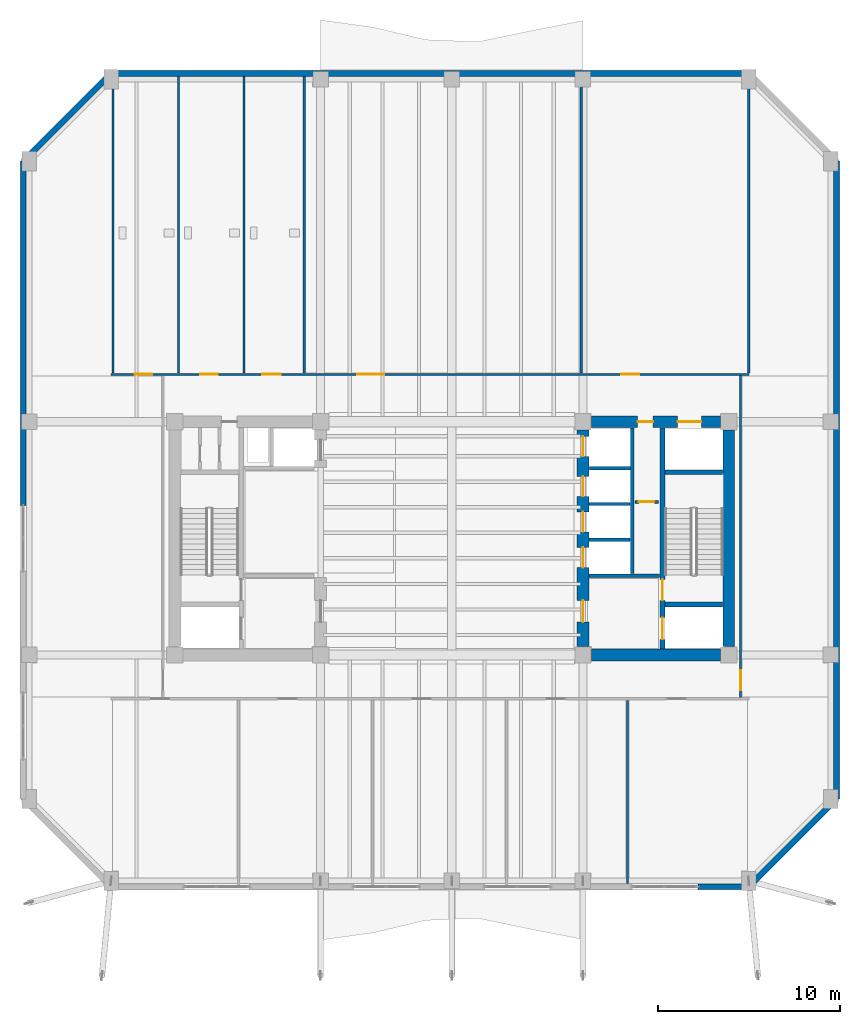
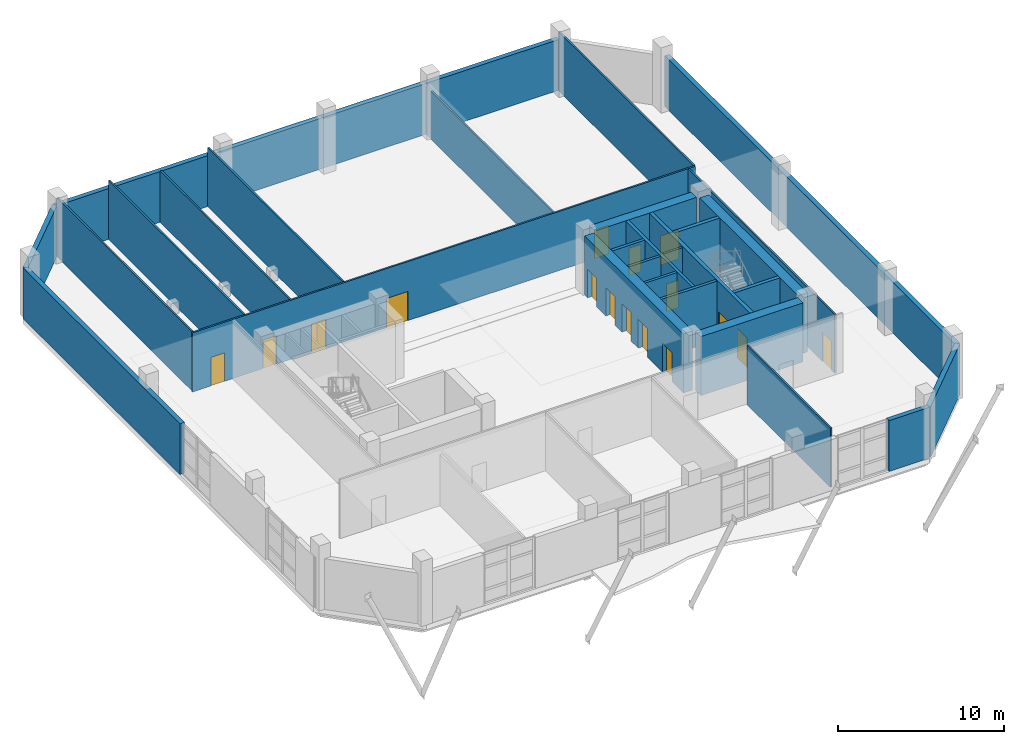
# One storey, part 9 of 15: 28 walls, 16 doors, 16 openings.
"""IFC4 building model written with IfcOpenShell, lengths in metres."""

from ifc_helpers import new_model, si_unit, direction, frame, frame_2d, origin, place, context, subcontext, project, spatial, rectangle, extrude, material, layer, layer_set, type_object, element, fill, save


model = new_model("IFC4")

# Units and contexts
model_context = context("Model", 3, precision=1e-05, world=origin(), true_north=direction((0.0, 1.0)))
body_context = subcontext(model_context, "Body", "Model", "MODEL_VIEW")
ifc_project = project(units=[si_unit("LENGTHUNIT", "METRE"), si_unit("AREAUNIT", "SQUARE_METRE"), si_unit("VOLUMEUNIT", "CUBIC_METRE"), si_unit("PLANEANGLEUNIT", "RADIAN"), si_unit("MASSUNIT", "GRAM", prefix="KILO")], contexts=[model_context])

# Site, building, storey
site_placement = place(None, origin())
site = spatial("IfcSite", under=ifc_project, at=site_placement, CompositionType="ELEMENT")
building_placement = place(site_placement, origin())
building = spatial("IfcBuilding", under=site, at=building_placement, Name="Kranthara Brick Stack", CompositionType="ELEMENT")
storey_placement = place(building_placement, frame((0.0, 0.0, 202.699951171875)))
storey = spatial("IfcBuildingStorey", under=building, at=storey_placement, Name="L52", CompositionType="ELEMENT", Elevation=202.699951171875)

# Walls
ifc_material_1 = material(Name="Warm buff clay brick masonry M15", Category="masonry")
ifc_layer_1 = layer(ifc_material_1, 0.320068359375)
ifc_layer_set_1 = layer_set([ifc_layer_1], Name="Warm buff clay brick masonry M15")
wall_type_1 = type_object("IfcWallType", Name="WL-BRK-UPPR-320", PredefinedType="STANDARD", material=ifc_layer_set_1)
wall_1_placement = place(storey_placement, frame((44.300048828125, 8.080078125, 0.0), z_axis=(0.0, 0.0, 1.0), x_axis=(-1.0, 0.0, 0.0)))
element("IfcWall", 1, at=wall_1_placement, inside=storey, type_object=wall_type_1, Name="L52 Exterior Brick Facade Wall SOUTH 1", PredefinedType="STANDARD", context=body_context, shape_type="SweptSolid", body=[
    extrude(rectangle(XDim=2.800048828125, YDim=0.320068359375, at=frame_2d((1.39990234375, 0.0))), origin(), (0.0, 0.0, 1.0), 3.735107421875),
])
wall_2_placement = place(storey_placement, frame((4.47998046875, 29.0, 0.0), z_axis=(0.0, 0.0, 1.0), x_axis=(0.0, 1.0, 0.0)))
element("IfcWall", 2, at=wall_2_placement, inside=storey, type_object=wall_type_1, Name="L52 Exterior Brick Facade Wall WEST 3", PredefinedType="STANDARD", context=body_context, shape_type="SweptSolid", body=[
    extrude(rectangle(XDim=18.89990234375, YDim=0.320068359375, at=frame_2d((9.449951171875, 0.0))), origin(), (0.0, 0.0, 1.0), 3.735107421875),
])
wall_3_placement = place(storey_placement, frame((4.47998046875, 47.89990234375, 0.0), z_axis=(0.0, 0.0, 1.0), x_axis=(0.707106781187, 0.707106781187, 0.0)))
element("IfcWall", 3, at=wall_3_placement, inside=storey, type_object=wall_type_1, Name="L52 Exterior Brick Facade Wall NW 1", PredefinedType="STANDARD", context=body_context, shape_type="SweptSolid", body=[
    extrude(rectangle(XDim=6.816650390625, YDim=0.320068359375, at=frame_2d((3.408203125, 0.0))), origin(), (0.0, 0.0, 1.0), 3.735107421875),
])
for number, where, z_axis, x_axis, name in (
    (4, (9.300048828125, 52.719970703125, 0.0), (0.0, 0.0, 1.0), (1.0, 0.0, 0.0), "L52 Exterior Brick Facade Wall NORTH 1"),
    (5, (49.1201171875, 47.89990234375, 0.0), (0.0, 0.0, 1.0), (0.0, -1.0, 0.0), "L52 Exterior Brick Facade Wall EAST 1"),
):
    element("IfcWall", number, at=place(storey_placement, frame(where, z_axis=z_axis, x_axis=x_axis)), inside=storey, type_object=wall_type_1, Name=name, PredefinedType="STANDARD", context=body_context, shape_type="SweptSolid", body=[
        extrude(rectangle(XDim=35.0, YDim=0.320068359375, at=frame_2d((17.5, 0.0))), origin(), (0.0, 0.0, 1.0), 3.735107421875),
    ])
wall_4_placement = place(storey_placement, frame((49.1201171875, 12.89990234375, 0.0), z_axis=(0.0, 0.0, 1.0), x_axis=(-0.707124689198, -0.707088872722, 0.0)))
element("IfcWall", 6, at=wall_4_placement, inside=storey, type_object=wall_type_1, Name="L52 Exterior Brick Facade Wall SE 1", PredefinedType="STANDARD", context=body_context, shape_type="SweptSolid", body=[
    extrude(rectangle(XDim=6.81640625, YDim=0.320068359375, at=frame_2d((3.408203125, 0.0))), origin(), (0.0, 0.0, 1.0), 3.735107421875),
])

# Wall, openings, doors
ifc_material_2 = material(Name="Concrete C50/60", Category="concrete")
ifc_layer_2 = layer(ifc_material_2, 0.25)
ifc_layer_set_2 = layer_set([ifc_layer_2], Name="Concrete C50/60")
wall_type_2 = type_object("IfcWallType", Name="WL-CORE-250", PredefinedType="SHEAR", material=ifc_layer_set_2)
wall_5_placement = place(storey_placement, frame((39.56494140625, 21.135009765625, 0.0), z_axis=(0.0, 0.0, 1.0), x_axis=(0.0, 1.0, 0.0)))
wall_5 = element("IfcWall", 7, at=wall_5_placement, inside=storey, type_object=wall_type_2, Name="L52 East Core Stair Bearing Spine Wall", PredefinedType="SHEAR", context=body_context, shape_type="SweptSolid", body=[
    extrude(rectangle(XDim=12.1298828125, YDim=0.25, at=frame_2d((6.06494140625, 0.0))), origin(), (0.0, 0.0, 1.0), 4.35009765625),
])
opening_1_placement = place(wall_5_placement, frame((0.514892578125, 0.0, 0.0)))
opening_1 = element("IfcOpeningElement", 8, at=opening_1_placement, cuts=wall_5, Name="Opening LD01", PredefinedType="OPENING", context=body_context, shape_type="SweptSolid", body=[
    extrude(rectangle(XDim=1.199951171875, YDim=2.14990234375, at=frame_2d((0.60009765625, 1.074951171875))), frame((0.0, 0.135009765625, 0.0), z_axis=(0.0, -1.0, 0.0), x_axis=(1.0, 0.0, 0.0)), (0.0, 0.0, 1.0), 0.27001953125),
])
opening_2_placement = place(wall_5_placement, frame((2.6650390625, 0.0, 0.0)))
opening_2 = element("IfcOpeningElement", 9, at=opening_2_placement, cuts=wall_5, Name="Opening D05", PredefinedType="OPENING", context=body_context, shape_type="SweptSolid", body=[
    extrude(rectangle(XDim=1.14990234375, YDim=2.14990234375, at=frame_2d((0.574951171875, 1.074951171875))), frame((0.0, 0.135009765625, 0.0), z_axis=(0.0, -1.0, 0.0), x_axis=(1.0, 0.0, 0.0)), (0.0, 0.0, 1.0), 0.27001953125),
])
ifc_material_3 = material(Name="Stainless steel sliding landing door", Category="steel")
door_type_1 = type_object("IfcDoorType", Name="DR-LD-FF1200", OperationType="DOUBLE_DOOR_SLIDING", PredefinedType="DOOR", material=ifc_material_3)
door_1_placement = place(opening_1_placement, origin())
door_1 = element("IfcDoor", 10, at=door_1_placement, inside=storey, type_object=door_type_1, Name="L52 Firefighting Lift FF-02 Landing Door", OperationType="DOUBLE_DOOR_SLIDING", OverallHeight=2.14990234375, OverallWidth=1.199951171875, PredefinedType="DOOR", context=body_context, shape_type="SweptSolid", body=[
    extrude(rectangle(XDim=1.199951171875, YDim=2.14990234375, at=frame_2d((0.60009765625, 1.074951171875))), frame((0.0, 0.02490234375, 0.0), z_axis=(0.0, -1.0, 0.0), x_axis=(1.0, 0.0, 0.0)), (0.0, 0.0, 1.0), 0.050048828125),
])
fill(opening_1, door_1)
ifc_material_4 = material(Name="Solid-core hardwood timber leaf in steel frame", Category="steel")
door_type_2 = type_object("IfcDoorType", Name="DR-ST-1150", OperationType="NOTDEFINED", PredefinedType="DOOR", material=ifc_material_4)
door_2_placement = place(opening_2_placement, origin())
door_2 = element("IfcDoor", 11, at=door_2_placement, inside=storey, type_object=door_type_2, Name="L52 Exit Stair ST02 Door", OperationType="SINGLE_SWING_LEFT", OverallHeight=2.14990234375, OverallWidth=1.14990234375, PredefinedType="DOOR", context=body_context, shape_type="SweptSolid", body=[
    extrude(rectangle(XDim=1.14990234375, YDim=2.14990234375, at=frame_2d((0.574951171875, 1.074951171875))), frame((0.0, 0.02490234375, 0.0), z_axis=(0.0, -1.0, 0.0), x_axis=(1.0, 0.0, 0.0)), (0.0, 0.0, 1.0), 0.050048828125),
])
fill(opening_2, door_2)

# Walls
for number, where, z_axis, x_axis, name in (
    (12, (39.68994140625, 23.570068359375, 0.0), (0.0, 0.0, 1.0), (1.0, 0.0, 0.0), "L52 East Stairwell Bearing Wall EFF"),
    (13, (39.68994140625, 30.830078125, 0.0), (0.0, 0.0, 1.0), (1.0, 0.0, 0.0), "L52 East Stairwell Bearing Wall EST"),
):
    element("IfcWall", number, at=place(storey_placement, frame(where, z_axis=z_axis, x_axis=x_axis)), inside=storey, type_object=wall_type_2, Name=name, PredefinedType="SHEAR", context=body_context, shape_type="SweptSolid", body=[
        extrude(rectangle(XDim=3.175048828125, YDim=0.25, at=frame_2d((1.58740234375, 0.0))), origin(), (0.0, 0.0, 1.0), 4.35009765625),
    ])
ifc_material_5 = material(Name="Concrete C60/75", Category="concrete")
ifc_layer_3 = layer(ifc_material_5, 0.64990234375)
ifc_layer_set_3 = layer_set([ifc_layer_3], Name="Concrete C60/75")
wall_type_3 = type_object("IfcWallType", Name="WL-CORE-650", PredefinedType="SHEAR", material=ifc_layer_set_3)
wall_6_placement = place(storey_placement, frame((43.199951171875, 21.2548828125, 0.0), z_axis=(0.0, 0.0, 1.0), x_axis=(0.0, 1.0, 0.0)))
element("IfcWall", 14, at=wall_6_placement, inside=storey, type_object=wall_type_3, Name="L52 East Core Shear Wall East", PredefinedType="SHEAR", context=body_context, shape_type="SweptSolid", body=[
    extrude(rectangle(XDim=11.89013671875, YDim=0.64990234375, at=frame_2d((5.945068359375, 0.0))), origin(), (0.0, 0.0, 1.0), 4.35009765625),
])
wall_7_placement = place(storey_placement, frame((35.655029296875, 20.800048828125, 0.0), z_axis=(0.0, 0.0, 1.0), x_axis=(1.0, 0.0, 0.0)))
element("IfcWall", 15, at=wall_7_placement, inside=storey, type_object=wall_type_3, Name="L52 East Core Shear Wall South", PredefinedType="SHEAR", context=body_context, shape_type="SweptSolid", body=[
    extrude(rectangle(XDim=7.090087890625, YDim=0.64990234375, at=frame_2d((3.544921875, 0.0))), origin(), (0.0, 0.0, 1.0), 4.35009765625),
])

# Wall, openings, doors
wall_8_placement = place(storey_placement, frame((35.655029296875, 33.60009765625, 0.0), z_axis=(0.0, 0.0, 1.0), x_axis=(1.0, 0.0, 0.0)))
wall_8 = element("IfcWall", 16, at=wall_8_placement, inside=storey, type_object=wall_type_3, Name="L52 East Core Shear Wall North", PredefinedType="SHEAR", context=body_context, shape_type="SweptSolid", body=[
    extrude(rectangle(XDim=7.090087890625, YDim=0.64990234375, at=frame_2d((3.544921875, 0.0))), origin(), (0.0, 0.0, 1.0), 4.35009765625),
])
opening_3_placement = place(wall_8_placement, frame((4.7451171875, 0.0, 0.0)))
opening_3 = element("IfcOpeningElement", 17, at=opening_3_placement, cuts=wall_8, Name="Opening LD03", PredefinedType="OPENING", context=body_context, shape_type="SweptSolid", body=[
    extrude(rectangle(XDim=1.300048828125, YDim=2.14990234375, at=frame_2d((0.64990234375, 1.074951171875))), frame((0.0, 0.3349609375, 0.0), z_axis=(0.0, -1.0, 0.0), x_axis=(1.0, 0.0, 0.0)), (0.0, 0.0, 1.0), 0.669921875),
])
opening_4_placement = place(wall_8_placement, frame((2.544921875, 0.0, 0.0)))
opening_4 = element("IfcOpeningElement", 18, at=opening_4_placement, cuts=wall_8, Name="Opening D10", PredefinedType="OPENING", context=body_context, shape_type="SweptSolid", body=[
    extrude(rectangle(XDim=0.85009765625, YDim=2.02001953125, at=frame_2d((0.425048828125, 1.010009765625))), frame((0.0, 0.3349609375, 0.0), z_axis=(0.0, -1.0, 0.0), x_axis=(1.0, 0.0, 0.0)), (0.0, 0.0, 1.0), 0.669921875),
])
ifc_material_6 = material(Name="Stainless steel sliding landing door", Category="steel")
door_type_3 = type_object("IfcDoorType", Name="DR-LD-SV1300", OperationType="DOUBLE_DOOR_SLIDING", PredefinedType="DOOR", material=ifc_material_6)
door_3_placement = place(opening_3_placement, origin())
door_3 = element("IfcDoor", 19, at=door_3_placement, inside=storey, type_object=door_type_3, Name="L52 Stretcher Service Lift SV-01 Landing Door", OperationType="DOUBLE_DOOR_SLIDING", OverallHeight=2.14990234375, OverallWidth=1.300048828125, PredefinedType="DOOR", context=body_context, shape_type="SweptSolid", body=[
    extrude(rectangle(XDim=1.300048828125, YDim=2.14990234375, at=frame_2d((0.64990234375, 1.074951171875))), frame((0.0, 0.02490234375, 0.0), z_axis=(0.0, -1.0, 0.0), x_axis=(1.0, 0.0, 0.0)), (0.0, 0.0, 1.0), 0.050048828125),
])
fill(opening_3, door_3)
ifc_material_7 = material(Name="Solid-core hardwood timber leaf in steel frame", Category="steel")
door_type_4 = type_object("IfcDoorType", Name="DR-RSR-850", OperationType="NOTDEFINED", PredefinedType="DOOR", material=ifc_material_7)
door_4_placement = place(opening_4_placement, origin())
door_4 = element("IfcDoor", 20, at=door_4_placement, inside=storey, type_object=door_type_4, Name="L52 East Core Service Room Door", OperationType="SINGLE_SWING_LEFT", OverallHeight=2.02001953125, OverallWidth=0.85009765625, PredefinedType="DOOR", context=body_context, shape_type="SweptSolid", body=[
    extrude(rectangle(XDim=0.85009765625, YDim=2.02001953125, at=frame_2d((0.425048828125, 1.010009765625))), frame((0.0, 0.02490234375, 0.0), z_axis=(0.0, -1.0, 0.0), x_axis=(1.0, 0.0, 0.0)), (0.0, 0.0, 1.0), 0.050048828125),
])
fill(opening_4, door_4)

wall_9_placement = place(storey_placement, frame((35.199951171875, 21.2548828125, 0.0), z_axis=(0.0, 0.0, 1.0), x_axis=(0.0, 1.0, 0.0)))
wall_9 = element("IfcWall", 21, at=wall_9_placement, inside=storey, type_object=wall_type_3, Name="L52 East Core Shear Wall West", PredefinedType="SHEAR", context=body_context, shape_type="SweptSolid", body=[
    extrude(rectangle(XDim=11.89013671875, YDim=0.64990234375, at=frame_2d((5.945068359375, 0.0))), origin(), (0.0, 0.0, 1.0), 4.35009765625),
])
opening_5_placement = place(wall_9_placement, frame((1.344970703125, 0.0, 0.0)))
opening_5 = element("IfcOpeningElement", 22, at=opening_5_placement, cuts=wall_9, Name="Opening D06", PredefinedType="OPENING", context=body_context, shape_type="SweptSolid", body=[
    extrude(rectangle(XDim=1.199951171875, YDim=2.14990234375, at=frame_2d((0.60009765625, 1.074951171875))), frame((0.0, 0.3349609375, 0.0), z_axis=(0.0, -1.0, 0.0), x_axis=(1.0, 0.0, 0.0)), (0.0, 0.0, 1.0), 0.669921875),
])
opening_6_placement = place(wall_9_placement, frame((4.344970703125, 0.0, 0.0)))
opening_6 = element("IfcOpeningElement", 23, at=opening_6_placement, cuts=wall_9, Name="Opening LD02", PredefinedType="OPENING", context=body_context, shape_type="SweptSolid", body=[
    extrude(rectangle(XDim=1.10009765625, YDim=2.10009765625, at=frame_2d((0.550048828125, 1.050048828125))), frame((0.0, 0.3349609375, 0.0), z_axis=(0.0, -1.0, 0.0), x_axis=(1.0, 0.0, 0.0)), (0.0, 0.0, 1.0), 0.669921875),
])
opening_7_placement = place(wall_9_placement, frame((6.294921875, 0.0, 0.0)))
opening_7 = element("IfcOpeningElement", 24, at=opening_7_placement, cuts=wall_9, Name="Opening LD02", PredefinedType="OPENING", context=body_context, shape_type="SweptSolid", body=[
    extrude(rectangle(XDim=1.10009765625, YDim=2.10009765625, at=frame_2d((0.550048828125, 1.050048828125))), frame((0.0, 0.3349609375, 0.0), z_axis=(0.0, -1.0, 0.0), x_axis=(1.0, 0.0, 0.0)), (0.0, 0.0, 1.0), 0.669921875),
])
opening_8_placement = place(wall_9_placement, frame((8.2451171875, 0.0, 0.0)))
opening_8 = element("IfcOpeningElement", 25, at=opening_8_placement, cuts=wall_9, Name="Opening LD02", PredefinedType="OPENING", context=body_context, shape_type="SweptSolid", body=[
    extrude(rectangle(XDim=1.10009765625, YDim=2.10009765625, at=frame_2d((0.550048828125, 1.050048828125))), frame((0.0, 0.3349609375, 0.0), z_axis=(0.0, -1.0, 0.0), x_axis=(1.0, 0.0, 0.0)), (0.0, 0.0, 1.0), 0.669921875),
])
opening_9_placement = place(wall_9_placement, frame((10.445068359375, 0.0, 0.0)))
opening_9 = element("IfcOpeningElement", 26, at=opening_9_placement, cuts=wall_9, Name="Opening LD02", PredefinedType="OPENING", context=body_context, shape_type="SweptSolid", body=[
    extrude(rectangle(XDim=1.10009765625, YDim=2.10009765625, at=frame_2d((0.550048828125, 1.050048828125))), frame((0.0, 0.3349609375, 0.0), z_axis=(0.0, -1.0, 0.0), x_axis=(1.0, 0.0, 0.0)), (0.0, 0.0, 1.0), 0.669921875),
])
ifc_material_8 = material(Name="Solid-core hardwood timber leaf in steel frame", Category="steel")
door_type_5 = type_object("IfcDoorType", Name="DR-FFL-1200", OperationType="NOTDEFINED", PredefinedType="DOOR", material=ifc_material_8)
door_5_placement = place(opening_5_placement, origin())
door_5 = element("IfcDoor", 27, at=door_5_placement, inside=storey, type_object=door_type_5, Name="L52 East Firefighting Lobby Door", OperationType="SINGLE_SWING_RIGHT", OverallHeight=2.14990234375, OverallWidth=1.199951171875, PredefinedType="DOOR", context=body_context, shape_type="SweptSolid", body=[
    extrude(rectangle(XDim=1.199951171875, YDim=2.14990234375, at=frame_2d((0.60009765625, 1.074951171875))), frame((0.0, 0.02490234375, 0.0), z_axis=(0.0, -1.0, 0.0), x_axis=(1.0, 0.0, 0.0)), (0.0, 0.0, 1.0), 0.050048828125),
])
fill(opening_5, door_5)
ifc_material_9 = material(Name="Stainless steel sliding landing door", Category="steel")
door_type_6 = type_object("IfcDoorType", Name="DR-LD-PL1100", OperationType="DOUBLE_DOOR_SLIDING", PredefinedType="DOOR", material=ifc_material_9)
door_6_placement = place(opening_6_placement, origin())
door_6 = element("IfcDoor", 28, at=door_6_placement, inside=storey, type_object=door_type_6, Name="L52 PL-04 Lift Landing Door", OperationType="DOUBLE_DOOR_SLIDING", OverallHeight=2.10009765625, OverallWidth=1.10009765625, PredefinedType="DOOR", context=body_context, shape_type="SweptSolid", body=[
    extrude(rectangle(XDim=1.10009765625, YDim=2.10009765625, at=frame_2d((0.550048828125, 1.050048828125))), frame((0.0, 0.02490234375, 0.0), z_axis=(0.0, -1.0, 0.0), x_axis=(1.0, 0.0, 0.0)), (0.0, 0.0, 1.0), 0.050048828125),
])
fill(opening_6, door_6)
door_7_placement = place(opening_7_placement, origin())
door_7 = element("IfcDoor", 29, at=door_7_placement, inside=storey, type_object=door_type_6, Name="L52 PL-05 Lift Landing Door", OperationType="DOUBLE_DOOR_SLIDING", OverallHeight=2.10009765625, OverallWidth=1.10009765625, PredefinedType="DOOR", context=body_context, shape_type="SweptSolid", body=[
    extrude(rectangle(XDim=1.10009765625, YDim=2.10009765625, at=frame_2d((0.550048828125, 1.050048828125))), frame((0.0, 0.02490234375, 0.0), z_axis=(0.0, -1.0, 0.0), x_axis=(1.0, 0.0, 0.0)), (0.0, 0.0, 1.0), 0.050048828125),
])
fill(opening_7, door_7)
door_8_placement = place(opening_8_placement, origin())
door_8 = element("IfcDoor", 30, at=door_8_placement, inside=storey, type_object=door_type_6, Name="L52 PL-06 Lift Landing Door", OperationType="DOUBLE_DOOR_SLIDING", OverallHeight=2.10009765625, OverallWidth=1.10009765625, PredefinedType="DOOR", context=body_context, shape_type="SweptSolid", body=[
    extrude(rectangle(XDim=1.10009765625, YDim=2.10009765625, at=frame_2d((0.550048828125, 1.050048828125))), frame((0.0, 0.02490234375, 0.0), z_axis=(0.0, -1.0, 0.0), x_axis=(1.0, 0.0, 0.0)), (0.0, 0.0, 1.0), 0.050048828125),
])
fill(opening_8, door_8)
door_9_placement = place(opening_9_placement, origin())
door_9 = element("IfcDoor", 31, at=door_9_placement, inside=storey, type_object=door_type_6, Name="L52 PL-08 Lift Landing Door", OperationType="DOUBLE_DOOR_SLIDING", OverallHeight=2.10009765625, OverallWidth=1.10009765625, PredefinedType="DOOR", context=body_context, shape_type="SweptSolid", body=[
    extrude(rectangle(XDim=1.10009765625, YDim=2.10009765625, at=frame_2d((0.550048828125, 1.050048828125))), frame((0.0, 0.02490234375, 0.0), z_axis=(0.0, -1.0, 0.0), x_axis=(1.0, 0.0, 0.0)), (0.0, 0.0, 1.0), 0.050048828125),
])
fill(opening_9, door_9)

ifc_material_10 = material(Name="Acoustic gypsum plasterboard partition", Category="other")
ifc_layer_4 = layer(ifc_material_10, 0.1201171875)
ifc_layer_set_4 = layer_set([ifc_layer_4], Name="Acoustic gypsum plasterboard partition")
wall_type_4 = type_object("IfcWallType", Name="WL-PART-120", PredefinedType="PARTITIONING", material=ifc_layer_set_4)
wall_10_placement = place(storey_placement, frame((9.300048828125, 36.199951171875, 0.0), z_axis=(0.0, 0.0, 1.0), x_axis=(1.0, 0.0, 0.0)))
wall_10 = element("IfcWall", 32, at=wall_10_placement, inside=storey, type_object=wall_type_4, Name="L52 Interior Partition 005", PredefinedType="PARTITIONING", context=body_context, shape_type="SweptSolid", body=[
    extrude(rectangle(XDim=35.0, YDim=0.1201171875, at=frame_2d((17.5, 0.0))), origin(), (0.0, 0.0, 1.0), 4.35009765625),
])
opening_10_placement = place(wall_10_placement, frame((1.300048828125, 0.0, 0.0)))
opening_10 = element("IfcOpeningElement", 33, at=opening_10_placement, cuts=wall_10, Name="Opening D14", PredefinedType="OPENING", context=body_context, shape_type="SweptSolid", body=[
    extrude(rectangle(XDim=0.949951171875, YDim=2.10009765625, at=frame_2d((0.47509765625, 1.050048828125))), frame((0.0, 0.070068359375, 0.0), z_axis=(0.0, -1.0, 0.0), x_axis=(1.0, 0.0, 0.0)), (0.0, 0.0, 1.0), 0.14013671875),
])
opening_11_placement = place(wall_10_placement, frame((4.89990234375, 0.0, 0.0)))
opening_11 = element("IfcOpeningElement", 34, at=opening_11_placement, cuts=wall_10, Name="Opening D14", PredefinedType="OPENING", context=body_context, shape_type="SweptSolid", body=[
    extrude(rectangle(XDim=0.949951171875, YDim=2.10009765625, at=frame_2d((0.47509765625, 1.050048828125))), frame((0.0, 0.070068359375, 0.0), z_axis=(0.0, -1.0, 0.0), x_axis=(1.0, 0.0, 0.0)), (0.0, 0.0, 1.0), 0.14013671875),
])
opening_12_placement = place(wall_10_placement, frame((8.300048828125, 0.0, 0.0)))
opening_12 = element("IfcOpeningElement", 35, at=opening_12_placement, cuts=wall_10, Name="Opening D18", PredefinedType="OPENING", context=body_context, shape_type="SweptSolid", body=[
    extrude(rectangle(XDim=1.0, YDim=2.10009765625, at=frame_2d((0.5, 1.050048828125))), frame((0.0, 0.070068359375, 0.0), z_axis=(0.0, -1.0, 0.0), x_axis=(1.0, 0.0, 0.0)), (0.0, 0.0, 1.0), 0.14013671875),
])
opening_13_placement = place(wall_10_placement, frame((13.5, 0.0, 0.0)))
opening_13 = element("IfcOpeningElement", 36, at=opening_13_placement, cuts=wall_10, Name="Opening D20", PredefinedType="OPENING", context=body_context, shape_type="SweptSolid", body=[
    extrude(rectangle(XDim=1.5, YDim=2.14990234375, at=frame_2d((0.75, 1.074951171875))), frame((0.0, 0.070068359375, 0.0), z_axis=(0.0, -1.0, 0.0), x_axis=(1.0, 0.0, 0.0)), (0.0, 0.0, 1.0), 0.14013671875),
])
opening_14_placement = place(wall_10_placement, frame((28.0, 0.0, 0.0)))
opening_14 = element("IfcOpeningElement", 37, at=opening_14_placement, cuts=wall_10, Name="Opening D13", PredefinedType="OPENING", context=body_context, shape_type="SweptSolid", body=[
    extrude(rectangle(XDim=1.0, YDim=2.10009765625, at=frame_2d((0.5, 1.050048828125))), frame((0.0, 0.070068359375, 0.0), z_axis=(0.0, -1.0, 0.0), x_axis=(1.0, 0.0, 0.0)), (0.0, 0.0, 1.0), 0.14013671875),
])
ifc_material_11 = material(Name="Solid-core hardwood timber leaf in steel frame", Category="steel")
door_type_7 = type_object("IfcDoorType", Name="DR-ACC-1000", OperationType="NOTDEFINED", PredefinedType="DOOR", material=ifc_material_11)
door_10_placement = place(opening_12_placement, origin())
door_10 = element("IfcDoor", 38, at=door_10_placement, inside=storey, type_object=door_type_7, Name="L52 Accessible WC 11", OperationType="SINGLE_SWING_LEFT", OverallHeight=2.10009765625, OverallWidth=1.0, PredefinedType="DOOR", context=body_context, shape_type="SweptSolid", body=[
    extrude(rectangle(XDim=1.0, YDim=2.10009765625, at=frame_2d((0.5, 1.050048828125))), frame((0.0, 0.02490234375, 0.0), z_axis=(0.0, -1.0, 0.0), x_axis=(1.0, 0.0, 0.0)), (0.0, 0.0, 1.0), 0.050048828125),
])
fill(opening_12, door_10)
ifc_material_12 = material(Name="Solid-core hardwood timber leaf in steel frame", Category="steel")
door_type_8 = type_object("IfcDoorType", Name="DR-DBL-1500", OperationType="DOUBLE_DOOR_SINGLE_SWING", PredefinedType="DOOR", material=ifc_material_12)
door_11_placement = place(opening_13_placement, origin())
door_11 = element("IfcDoor", 39, at=door_11_placement, inside=storey, type_object=door_type_8, Name="L52 Fitness Club Door 12", OperationType="DOUBLE_DOOR_SINGLE_SWING", OverallHeight=2.14990234375, OverallWidth=1.5, PredefinedType="DOOR", context=body_context, shape_type="SweptSolid", body=[
    extrude(rectangle(XDim=1.5, YDim=2.14990234375, at=frame_2d((0.75, 1.074951171875))), frame((0.0, 0.02490234375, 0.0), z_axis=(0.0, -1.0, 0.0), x_axis=(1.0, 0.0, 0.0)), (0.0, 0.0, 1.0), 0.050048828125),
])
fill(opening_13, door_11)
ifc_material_13 = material(Name="Solid-core hardwood timber leaf in steel frame", Category="steel")
door_type_9 = type_object("IfcDoorType", Name="DR-INT-1000", OperationType="NOTDEFINED", PredefinedType="DOOR", material=ifc_material_13)
door_12_placement = place(opening_14_placement, origin())
door_12 = element("IfcDoor", 40, at=door_12_placement, inside=storey, type_object=door_type_9, Name="L52 Equipment Store Door 13", OperationType="SINGLE_SWING_LEFT", OverallHeight=2.10009765625, OverallWidth=1.0, PredefinedType="DOOR", context=body_context, shape_type="SweptSolid", body=[
    extrude(rectangle(XDim=1.0, YDim=2.10009765625, at=frame_2d((0.5, 1.050048828125))), frame((0.0, 0.02490234375, 0.0), z_axis=(0.0, -1.0, 0.0), x_axis=(1.0, 0.0, 0.0)), (0.0, 0.0, 1.0), 0.050048828125),
])
fill(opening_14, door_12)
ifc_material_14 = material(Name="Solid-core hardwood timber leaf in steel frame", Category="steel")
door_type_10 = type_object("IfcDoorType", Name="DR-INT-950", OperationType="NOTDEFINED", PredefinedType="DOOR", material=ifc_material_14)
door_13_placement = place(opening_10_placement, origin())
door_13 = element("IfcDoor", 41, at=door_13_placement, inside=storey, type_object=door_type_10, Name="L52 Male WC 09", OperationType="SINGLE_SWING_LEFT", OverallHeight=2.10009765625, OverallWidth=0.949951171875, PredefinedType="DOOR", context=body_context, shape_type="SweptSolid", body=[
    extrude(rectangle(XDim=0.949951171875, YDim=2.10009765625, at=frame_2d((0.47509765625, 1.050048828125))), frame((0.0, 0.02490234375, 0.0), z_axis=(0.0, -1.0, 0.0), x_axis=(1.0, 0.0, 0.0)), (0.0, 0.0, 1.0), 0.050048828125),
])
fill(opening_10, door_13)
door_14_placement = place(opening_11_placement, origin())
door_14 = element("IfcDoor", 42, at=door_14_placement, inside=storey, type_object=door_type_10, Name="L52 Female WC 10", OperationType="SINGLE_SWING_RIGHT", OverallHeight=2.10009765625, OverallWidth=0.949951171875, PredefinedType="DOOR", context=body_context, shape_type="SweptSolid", body=[
    extrude(rectangle(XDim=0.949951171875, YDim=2.10009765625, at=frame_2d((0.47509765625, 1.050048828125))), frame((0.0, 0.02490234375, 0.0), z_axis=(0.0, -1.0, 0.0), x_axis=(1.0, 0.0, 0.0)), (0.0, 0.0, 1.0), 0.050048828125),
])
fill(opening_11, door_14)

# Walls
wall_11_placement = place(storey_placement, frame((37.64990234375, 8.2451171875, 0.0), z_axis=(0.0, 0.0, 1.0), x_axis=(0.0, 1.0, 0.0)))
element("IfcWall", 43, at=wall_11_placement, inside=storey, type_object=wall_type_4, Name="L52 Interior Partition 009", PredefinedType="PARTITIONING", context=body_context, shape_type="SweptSolid", body=[
    extrude(rectangle(XDim=10.054931640625, YDim=0.1201171875, at=frame_2d((5.02734375, 0.0))), origin(), (0.0, 0.0, 1.0), 4.35009765625),
])
for number, where, z_axis, x_axis, name in (
    (44, (9.39990234375, 36.264892578125, 0.0), (0.0, 0.0, 1.0), (0.0, 1.0, 0.0), "L52 Interior Partition 010"),
    (45, (13.0, 36.264892578125, 0.0), (0.0, 0.0, 1.0), (0.0, 1.0, 0.0), "L52 Interior Partition 011"),
):
    element("IfcWall", number, at=place(storey_placement, frame(where, z_axis=z_axis, x_axis=x_axis)), inside=storey, type_object=wall_type_4, Name=name, PredefinedType="PARTITIONING", context=body_context, shape_type="SweptSolid", body=[
        extrude(rectangle(XDim=16.2900390625, YDim=0.1201171875, at=frame_2d((8.14501953125, 0.0))), origin(), (0.0, 0.0, 1.0), 4.35009765625),
    ])
wall_12_placement = place(storey_placement, frame((16.60009765625, 36.264892578125, 0.0), z_axis=(0.0, 0.0, 1.0), x_axis=(0.0, 1.0, 0.0)))
element("IfcWall", 46, at=wall_12_placement, inside=storey, type_object=wall_type_4, Name="L52 Interior Partition 012", PredefinedType="PARTITIONING", context=body_context, shape_type="SweptSolid", body=[
    extrude(rectangle(XDim=16.2900390625, YDim=0.1201171875, at=frame_2d((8.14501953125, 0.0))), origin(), (0.0, 0.0, 1.0), 3.78515625),
])
for number, where, z_axis, x_axis, name in (
    (47, (19.89990234375, 36.264892578125, 0.0), (0.0, 0.0, 1.0), (0.0, 1.0, 0.0), "L52 Interior Partition 013"),
    (48, (44.300048828125, 36.264892578125, 0.0), (0.0, 0.0, 1.0), (0.0, 1.0, 0.0), "L52 Interior Partition 014"),
):
    element("IfcWall", number, at=place(storey_placement, frame(where, z_axis=z_axis, x_axis=x_axis)), inside=storey, type_object=wall_type_4, Name=name, PredefinedType="PARTITIONING", context=body_context, shape_type="SweptSolid", body=[
        extrude(rectangle(XDim=16.2900390625, YDim=0.1201171875, at=frame_2d((8.14501953125, 0.0))), origin(), (0.0, 0.0, 1.0), 4.35009765625),
    ])
wall_13_placement = place(storey_placement, frame((35.10009765625, 36.264892578125, 0.0), z_axis=(0.0, 0.0, 1.0), x_axis=(0.0, 1.0, 0.0)))
element("IfcWall", 49, at=wall_13_placement, inside=storey, type_object=wall_type_4, Name="L52 Interior Partition 015", PredefinedType="PARTITIONING", context=body_context, shape_type="SweptSolid", body=[
    extrude(rectangle(XDim=16.2900390625, YDim=0.1201171875, at=frame_2d((8.14501953125, 0.0))), origin(), (0.0, 0.0, 1.0), 3.53515625),
])

# Wall, opening, door
wall_14_placement = place(storey_placement, frame((43.85009765625, 18.465087890625, 0.0), z_axis=(0.0, 0.0, 1.0), x_axis=(0.0, 1.0, 0.0)))
wall_14 = element("IfcWall", 50, at=wall_14_placement, inside=storey, type_object=wall_type_4, Name="L52 Interior Partition 017", PredefinedType="PARTITIONING", context=body_context, shape_type="SweptSolid", body=[
    extrude(rectangle(XDim=17.669921875, YDim=0.1201171875, at=frame_2d((8.8349609375, 0.0))), origin(), (0.0, 0.0, 1.0), 4.35009765625),
])
opening_15_placement = place(wall_14_placement, frame((0.385009765625, 0.0, 0.0)))
opening_15 = element("IfcOpeningElement", 51, at=opening_15_placement, cuts=wall_14, Name="Opening D11", PredefinedType="OPENING", context=body_context, shape_type="SweptSolid", body=[
    extrude(rectangle(XDim=1.10009765625, YDim=2.14990234375, at=frame_2d((0.550048828125, 1.074951171875))), frame((0.0, 0.070068359375, 0.0), z_axis=(0.0, -1.0, 0.0), x_axis=(1.0, 0.0, 0.0)), (0.0, 0.0, 1.0), 0.14013671875),
])
ifc_material_15 = material(Name="Solid-core hardwood timber leaf in steel frame", Category="steel")
door_type_11 = type_object("IfcDoorType", Name="DR-INT-1100", OperationType="NOTDEFINED", PredefinedType="DOOR", material=ifc_material_15)
door_15_placement = place(opening_15_placement, origin())
door_15 = element("IfcDoor", 52, at=door_15_placement, inside=storey, type_object=door_type_11, Name="L52 East Sky Club Door 15", OperationType="SINGLE_SWING_LEFT", OverallHeight=2.14990234375, OverallWidth=1.10009765625, PredefinedType="DOOR", context=body_context, shape_type="SweptSolid", body=[
    extrude(rectangle(XDim=1.10009765625, YDim=2.14990234375, at=frame_2d((0.550048828125, 1.074951171875))), frame((0.0, 0.02490234375, 0.0), z_axis=(0.0, -1.0, 0.0), x_axis=(1.0, 0.0, 0.0)), (0.0, 0.0, 1.0), 0.050048828125),
])
fill(opening_15, door_15)

ifc_material_16 = material(Name="Fire-rated gypsum board partition", Category="other")
ifc_layer_5 = layer(ifc_material_16, 0.14990234375)
ifc_layer_set_5 = layer_set([ifc_layer_5], Name="Fire-rated gypsum board partition")
wall_type_5 = type_object("IfcWallType", Name="WL-PART-150", PredefinedType="PARTITIONING", material=ifc_layer_set_5)
wall_15_placement = place(storey_placement, frame((38.050048828125, 29.199951171875, 0.0), z_axis=(0.0, 0.0, 1.0), x_axis=(1.0, 0.0, 0.0)))
wall_15 = element("IfcWall", 53, at=wall_15_placement, inside=storey, type_object=wall_type_5, Name="L52 Interior Partition 003", PredefinedType="PARTITIONING", context=body_context, shape_type="SweptSolid", body=[
    extrude(rectangle(XDim=1.300048828125, YDim=0.14990234375, at=frame_2d((0.64990234375, 0.0))), origin(), (0.0, 0.0, 1.0), 4.35009765625),
])
opening_16_placement = place(wall_15_placement, frame((0.219970703125, 0.0, 0.0)))
opening_16 = element("IfcOpeningElement", 54, at=opening_16_placement, cuts=wall_15, Name="Opening D10", PredefinedType="OPENING", context=body_context, shape_type="SweptSolid", body=[
    extrude(rectangle(XDim=0.85009765625, YDim=2.02001953125, at=frame_2d((0.425048828125, 1.010009765625))), frame((0.0, 0.0849609375, 0.0), z_axis=(0.0, -1.0, 0.0), x_axis=(1.0, 0.0, 0.0)), (0.0, 0.0, 1.0), 0.169921875),
])
door_16_placement = place(opening_16_placement, origin())
door_16 = element("IfcDoor", 55, at=door_16_placement, inside=storey, type_object=door_type_4, Name="L52 East Service Door 03", OperationType="SINGLE_SWING_LEFT", OverallHeight=2.02001953125, OverallWidth=0.85009765625, PredefinedType="DOOR", context=body_context, shape_type="SweptSolid", body=[
    extrude(rectangle(XDim=0.85009765625, YDim=2.02001953125, at=frame_2d((0.425048828125, 1.010009765625))), frame((0.0, 0.02490234375, 0.0), z_axis=(0.0, -1.0, 0.0), x_axis=(1.0, 0.0, 0.0)), (0.0, 0.0, 1.0), 0.050048828125),
])
fill(opening_16, door_16)

# Walls
ifc_material_17 = material(Name="Gypsum plasterboard on acoustic twin stud", Category="other")
ifc_layer_6 = layer(ifc_material_17, 0.179931640625)
ifc_layer_set_6 = layer_set([ifc_layer_6], Name="Gypsum plasterboard on acoustic twin stud")
wall_type_6 = type_object("IfcWallType", Name="WL-PART-180", PredefinedType="PARTITIONING", material=ifc_layer_set_6)
for number, where, z_axis, x_axis, name in (
    (56, (35.534912109375, 27.1201171875, 0.0), (0.0, 0.0, 1.0), (1.0, 0.0, 0.0), "L52 East Hoistway Wall EH1"),
    (57, (35.534912109375, 29.080078125, 0.0), (0.0, 0.0, 1.0), (1.0, 0.0, 0.0), "L52 East Hoistway Wall EH2"),
):
    element("IfcWall", number, at=place(storey_placement, frame(where, z_axis=z_axis, x_axis=x_axis)), inside=storey, type_object=wall_type_6, Name=name, PredefinedType="PARTITIONING", context=body_context, shape_type="SweptSolid", body=[
        extrude(rectangle(XDim=2.2451171875, YDim=0.179931640625, at=frame_2d((1.12255859375, 0.0))), origin(), (0.0, 0.0, 1.0), 4.35009765625),
    ])
ifc_material_18 = material(Name="Concrete C40/50", Category="concrete")
ifc_layer_7 = layer(ifc_material_18, 0.199951171875)
ifc_layer_set_7 = layer_set([ifc_layer_7], Name="Concrete C40/50")
wall_type_7 = type_object("IfcWallType", Name="WL-PART-200", PredefinedType="SOLIDWALL", material=ifc_layer_set_7)
wall_16_placement = place(storey_placement, frame((35.534912109375, 25.14990234375, 0.0), z_axis=(0.0, 0.0, 1.0), x_axis=(1.0, 0.0, 0.0)))
element("IfcWall", 58, at=wall_16_placement, inside=storey, type_object=wall_type_7, Name="L52 East Core Cross Wall EFL", PredefinedType="SOLIDWALL", context=body_context, shape_type="SweptSolid", body=[
    extrude(rectangle(XDim=3.864990234375, YDim=0.199951171875, at=frame_2d((1.9326171875, 0.0))), origin(), (0.0, 0.0, 1.0), 4.35009765625),
])
wall_17_placement = place(storey_placement, frame((35.550048828125, 31.050048828125, 0.0), z_axis=(0.0, 0.0, 1.0), x_axis=(1.0, 0.0, 0.0)))
element("IfcWall", 59, at=wall_17_placement, inside=storey, type_object=wall_type_7, Name="L52 East Core Cross Wall EE4", PredefinedType="SOLIDWALL", context=body_context, shape_type="SweptSolid", body=[
    extrude(rectangle(XDim=2.25, YDim=0.199951171875, at=frame_2d((1.125, 0.0))), origin(), (0.0, 0.0, 1.0), 4.35009765625),
])
wall_18_placement = place(storey_placement, frame((37.89990234375, 25.27001953125, 0.0), z_axis=(0.0, 0.0, 1.0), x_axis=(0.0, 1.0, 0.0)))
element("IfcWall", 60, at=wall_18_placement, inside=storey, type_object=wall_type_7, Name="L52 East Core Cross Wall ESV", PredefinedType="SOLIDWALL", context=body_context, shape_type="SweptSolid", body=[
    extrude(rectangle(XDim=7.994873046875, YDim=0.199951171875, at=frame_2d((3.99755859375, 0.0))), origin(), (0.0, 0.0, 1.0), 4.35009765625),
])

save(model, "model.ifc")
